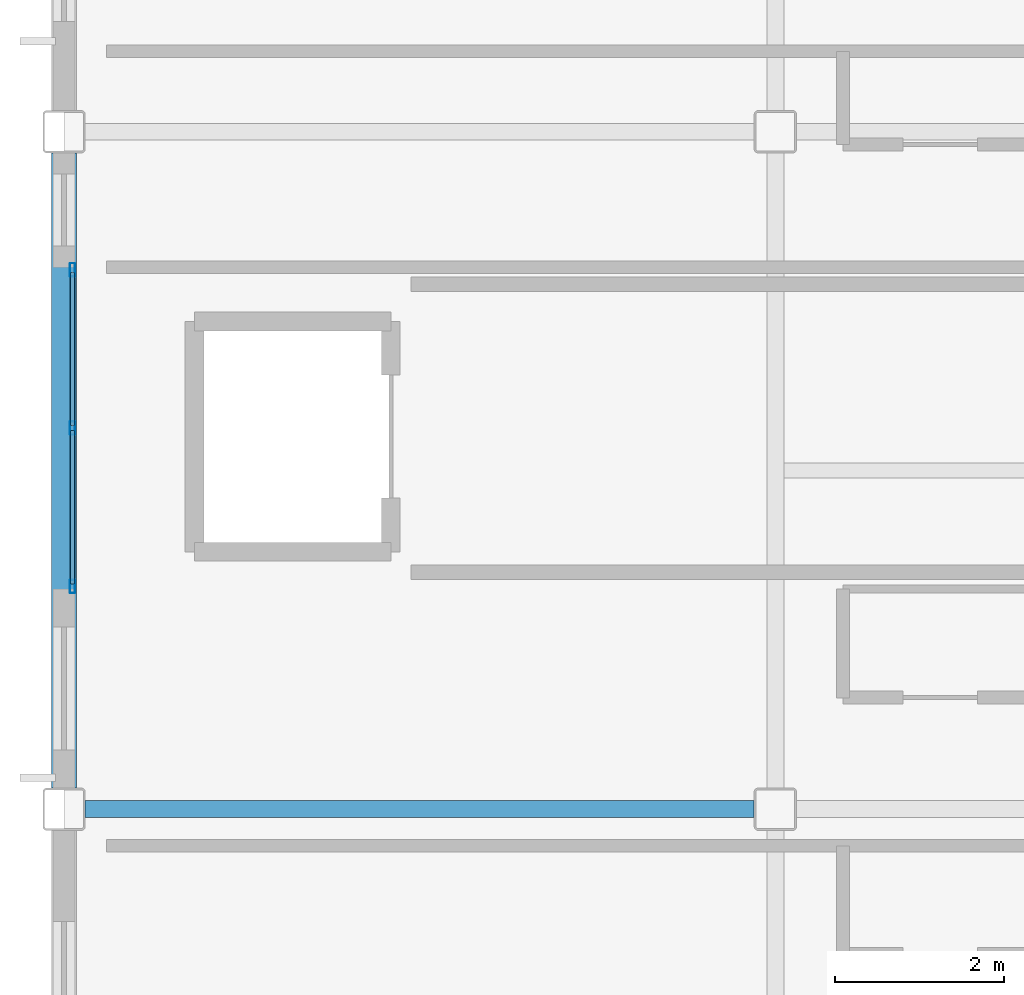
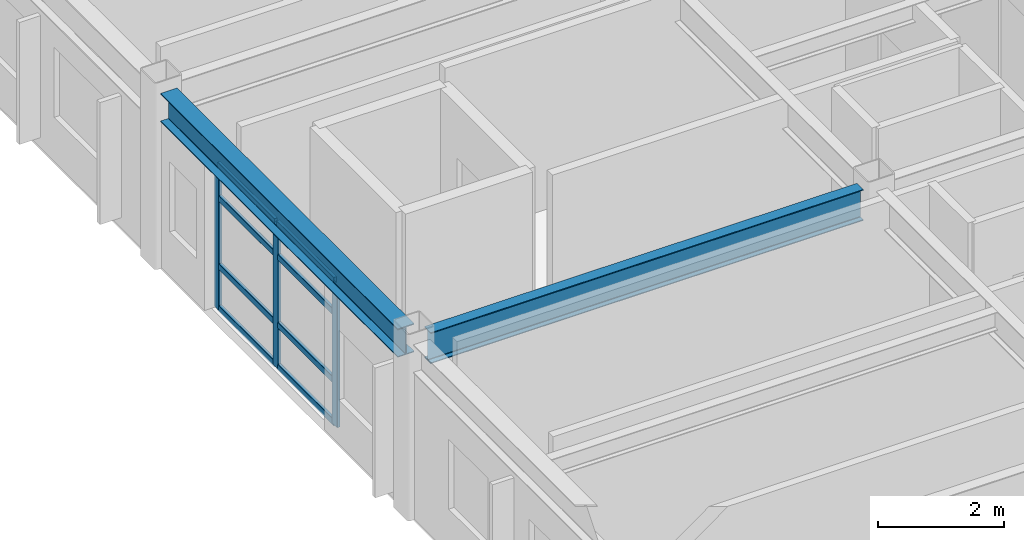
# One storey, part 8 of 35: 11 members, 2 beams, 1 element without a shape of its own.
"""IFC4 building model written with IfcOpenShell, lengths in metres."""

from ifc_helpers import new_model, si_unit, direction, frame, origin, origin_2d, place, context, subcontext, project, spatial, hollow_rectangle, i_section, extrude, material, layer, layer_set, material_profile, profile_set, type_object, element, aggregate, save


model = new_model("IFC4")

# Units and contexts
model_context = context("Model", 3, precision=1e-05, world=origin(), true_north=direction((0.0, 1.0)))
body_context = subcontext(model_context, "Body", "Model", "MODEL_VIEW")
ifc_project = project(units=[si_unit("LENGTHUNIT", "METRE"), si_unit("AREAUNIT", "SQUARE_METRE"), si_unit("VOLUMEUNIT", "CUBIC_METRE"), si_unit("PLANEANGLEUNIT", "RADIAN"), si_unit("MASSUNIT", "GRAM", prefix="KILO")], contexts=[model_context])

# Site, building, storey
site_placement = place(None, origin())
site = spatial("IfcSite", under=ifc_project, at=site_placement, CompositionType="ELEMENT")
building_placement = place(site_placement, origin())
building = spatial("IfcBuilding", under=site, at=building_placement, Name="Kazehara Bluff Congress Hotel", CompositionType="ELEMENT")
storey_placement = place(building_placement, frame((0.0, 0.0, 35.39990234375)))
storey = spatial("IfcBuildingStorey", under=building, at=storey_placement, Name="L08", CompositionType="ELEMENT", Elevation=35.39990234375)

# Curtain wall, members
ifc_material_1 = material(Name="Anodised aluminium", Category="aluminium")
ifc_layer = layer(ifc_material_1, 0.159912109375)
ifc_layer_set = layer_set([ifc_layer], Name="Anodised aluminium")
curtain_wall_type = type_object("IfcCurtainWallType", Name="TP-CW-176", PredefinedType="NOTDEFINED", material=ifc_layer_set)
curtain_wall_placement = place(storey_placement, origin())
curtain_wall = element("IfcCurtainWall", 1, at=curtain_wall_placement, inside=storey, type_object=curtain_wall_type, Name="L08 curtain wall CW-176 CW-ENC-V5-L08-14380-2850", PredefinedType="NOTDEFINED")
ifc_material_2 = material(Name="Anodised aluminium", Category="aluminium")
ifc_material_profile_1 = material_profile(ifc_material_2, hollow_rectangle(XDim=0.06005859375, YDim=0.159912109375, WallThickness=0.00390625, InnerFilletRadius=0.00390625, OuterFilletRadius=0.008056640625, at=origin_2d()))
ifc_profile_set_1 = profile_set([ifc_material_profile_1], Name="Anodised aluminium")
member_type_1 = type_object("IfcMemberType", Name="TP-CWM-01", PredefinedType="MULLION", material=ifc_profile_set_1)
member_1_placement = place(storey_placement, frame((143.800048828125, 26.6298828125, 0.0), z_axis=(0.0, 0.0, 1.0), x_axis=(-1.0, 0.0, 0.0)))
member_1 = element("IfcMember", 2, at=member_1_placement, type_object=member_type_1, Name="CW-176 mullion 1", PredefinedType="MULLION", context=body_context, shape_type="SweptSolid", body=[
    extrude(hollow_rectangle(XDim=0.06005859375, YDim=0.159912109375, WallThickness=0.00390625, InnerFilletRadius=0.00390625, OuterFilletRadius=0.008056640625, at=origin_2d()), origin(), (0.0, 0.0, 1.0), 2.80517578125),
])
member_2_placement = place(storey_placement, frame((143.800048828125, 28.5, 0.0), z_axis=(0.0, 0.0, 1.0), x_axis=(-1.0, 0.0, 0.0)))
member_2 = element("IfcMember", 3, at=member_2_placement, type_object=member_type_1, Name="CW-176 mullion 2", PredefinedType="MULLION", context=body_context, shape_type="SweptSolid", body=[
    extrude(hollow_rectangle(XDim=0.06005859375, YDim=0.159912109375, WallThickness=0.00390625, InnerFilletRadius=0.00390625, OuterFilletRadius=0.008056640625, at=origin_2d()), origin(), (0.0, 0.0, 1.0), 2.80517578125),
])
member_3_placement = place(storey_placement, frame((143.800048828125, 30.3701171875, 0.0), z_axis=(0.0, 0.0, 1.0), x_axis=(-1.0, 0.0, 0.0)))
member_3 = element("IfcMember", 4, at=member_3_placement, type_object=member_type_1, Name="CW-176 mullion 3", PredefinedType="MULLION", context=body_context, shape_type="SweptSolid", body=[
    extrude(hollow_rectangle(XDim=0.06005859375, YDim=0.159912109375, WallThickness=0.00390625, InnerFilletRadius=0.00390625, OuterFilletRadius=0.008056640625, at=origin_2d()), origin(), (0.0, 0.0, 1.0), 2.80517578125),
])
ifc_material_3 = material(Name="Anodised aluminium", Category="aluminium")
ifc_material_profile_2 = material_profile(ifc_material_3, hollow_rectangle(XDim=0.06005859375, YDim=0.1201171875, WallThickness=0.00390625, InnerFilletRadius=0.00390625, OuterFilletRadius=0.008056640625, at=origin_2d()))
ifc_profile_set_2 = profile_set([ifc_material_profile_2], Name="Anodised aluminium")
member_type_2 = type_object("IfcMemberType", Name="TP-CWT-01", PredefinedType="USERDEFINED", material=ifc_profile_set_2)
member_4_placement = place(storey_placement, frame((143.800048828125, 26.659912109375, 0.030029296875), z_axis=(0.0, 1.0, 0.0), x_axis=(-1.0, 0.0, 0.0)))
member_4 = element("IfcMember", 5, at=member_4_placement, type_object=member_type_2, Name="CW-176 transom 1.1", ObjectType="TRANSOM", PredefinedType="USERDEFINED", context=body_context, shape_type="SweptSolid", body=[
    extrude(hollow_rectangle(XDim=0.06005859375, YDim=0.1201171875, WallThickness=0.00390625, InnerFilletRadius=0.00390625, OuterFilletRadius=0.008056640625, at=origin_2d()), origin(), (0.0, 0.0, 1.0), 1.81005859375),
])
member_5_placement = place(storey_placement, frame((143.800048828125, 26.659912109375, 0.840087890625), z_axis=(0.0, 1.0, 0.0), x_axis=(-1.0, 0.0, 0.0)))
member_5 = element("IfcMember", 6, at=member_5_placement, type_object=member_type_2, Name="CW-176 transom 1.2", ObjectType="TRANSOM", PredefinedType="USERDEFINED", context=body_context, shape_type="SweptSolid", body=[
    extrude(hollow_rectangle(XDim=0.06005859375, YDim=0.1201171875, WallThickness=0.00390625, InnerFilletRadius=0.00390625, OuterFilletRadius=0.008056640625, at=origin_2d()), origin(), (0.0, 0.0, 1.0), 1.81005859375),
])
member_6_placement = place(storey_placement, frame((143.800048828125, 26.659912109375, 2.155029296875), z_axis=(0.0, 1.0, 0.0), x_axis=(-1.0, 0.0, 0.0)))
member_6 = element("IfcMember", 7, at=member_6_placement, type_object=member_type_2, Name="CW-176 transom 1.3", ObjectType="TRANSOM", PredefinedType="USERDEFINED", context=body_context, shape_type="SweptSolid", body=[
    extrude(hollow_rectangle(XDim=0.06005859375, YDim=0.1201171875, WallThickness=0.00390625, InnerFilletRadius=0.00390625, OuterFilletRadius=0.008056640625, at=origin_2d()), origin(), (0.0, 0.0, 1.0), 1.81005859375),
])
member_7_placement = place(storey_placement, frame((143.800048828125, 26.659912109375, 2.775146484375), z_axis=(0.0, 1.0, 0.0), x_axis=(-1.0, 0.0, 0.0)))
member_7 = element("IfcMember", 8, at=member_7_placement, type_object=member_type_2, Name="CW-176 transom 1.4", ObjectType="TRANSOM", PredefinedType="USERDEFINED", context=body_context, shape_type="SweptSolid", body=[
    extrude(hollow_rectangle(XDim=0.06005859375, YDim=0.1201171875, WallThickness=0.00390625, InnerFilletRadius=0.00390625, OuterFilletRadius=0.008056640625, at=origin_2d()), origin(), (0.0, 0.0, 1.0), 1.81005859375),
])
member_8_placement = place(storey_placement, frame((143.800048828125, 28.530029296875, 0.030029296875), z_axis=(0.0, 1.0, 0.0), x_axis=(-1.0, 0.0, 0.0)))
member_8 = element("IfcMember", 9, at=member_8_placement, type_object=member_type_2, Name="CW-176 transom 2.1", ObjectType="TRANSOM", PredefinedType="USERDEFINED", context=body_context, shape_type="SweptSolid", body=[
    extrude(hollow_rectangle(XDim=0.06005859375, YDim=0.1201171875, WallThickness=0.00390625, InnerFilletRadius=0.00390625, OuterFilletRadius=0.008056640625, at=origin_2d()), origin(), (0.0, 0.0, 1.0), 1.81005859375),
])
member_9_placement = place(storey_placement, frame((143.800048828125, 28.530029296875, 0.840087890625), z_axis=(0.0, 1.0, 0.0), x_axis=(-1.0, 0.0, 0.0)))
member_9 = element("IfcMember", 10, at=member_9_placement, type_object=member_type_2, Name="CW-176 transom 2.2", ObjectType="TRANSOM", PredefinedType="USERDEFINED", context=body_context, shape_type="SweptSolid", body=[
    extrude(hollow_rectangle(XDim=0.06005859375, YDim=0.1201171875, WallThickness=0.00390625, InnerFilletRadius=0.00390625, OuterFilletRadius=0.008056640625, at=origin_2d()), origin(), (0.0, 0.0, 1.0), 1.81005859375),
])
member_10_placement = place(storey_placement, frame((143.800048828125, 28.530029296875, 2.155029296875), z_axis=(0.0, 1.0, 0.0), x_axis=(-1.0, 0.0, 0.0)))
member_10 = element("IfcMember", 11, at=member_10_placement, type_object=member_type_2, Name="CW-176 transom 2.3", ObjectType="TRANSOM", PredefinedType="USERDEFINED", context=body_context, shape_type="SweptSolid", body=[
    extrude(hollow_rectangle(XDim=0.06005859375, YDim=0.1201171875, WallThickness=0.00390625, InnerFilletRadius=0.00390625, OuterFilletRadius=0.008056640625, at=origin_2d()), origin(), (0.0, 0.0, 1.0), 1.81005859375),
])
member_11_placement = place(storey_placement, frame((143.800048828125, 28.530029296875, 2.775146484375), z_axis=(0.0, 1.0, 0.0), x_axis=(-1.0, 0.0, 0.0)))
member_11 = element("IfcMember", 12, at=member_11_placement, type_object=member_type_2, Name="CW-176 transom 2.4", ObjectType="TRANSOM", PredefinedType="USERDEFINED", context=body_context, shape_type="SweptSolid", body=[
    extrude(hollow_rectangle(XDim=0.06005859375, YDim=0.1201171875, WallThickness=0.00390625, InnerFilletRadius=0.00390625, OuterFilletRadius=0.008056640625, at=origin_2d()), origin(), (0.0, 0.0, 1.0), 1.81005859375),
])
aggregate(curtain_wall, [member_1, member_2, member_3, member_4, member_5, member_6, member_7, member_8, member_9, member_10, member_11])

# Beams
ifc_material_4 = material(Name="Steel SN490B", Category="steel")
ifc_material_profile_3 = material_profile(ifc_material_4, i_section(OverallWidth=0.199951171875, OverallDepth=0.60009765625, WebThickness=0.010986328125, FlangeThickness=0.01708984375, FilletRadius=0.012939453125, at=origin_2d()))
ifc_profile_set_3 = profile_set([ifc_material_profile_3], Name="Steel SN490B")
beam_type_1 = type_object("IfcBeamType", Name="TP-G-02", PredefinedType="BEAM", material=ifc_profile_set_3)
beam_1_placement = place(storey_placement, frame((143.949951171875, 24.0, 3.080078125), z_axis=(1.0, 0.0, 0.0), x_axis=(0.0, 1.0, 0.0)))
element("IfcBeam", 13, at=beam_1_placement, inside=storey, type_object=beam_type_1, Name="L08 girder G-02 42", PredefinedType="BEAM", context=body_context, shape_type="SweptSolid", body=[
    extrude(i_section(OverallWidth=0.199951171875, OverallDepth=0.60009765625, WebThickness=0.010986328125, FlangeThickness=0.01708984375, FilletRadius=0.012939453125, at=origin_2d()), origin(), (0.0, 0.0, 1.0), 7.900146484375),
])
ifc_material_5 = material(Name="Steel SN490B", Category="steel")
ifc_material_profile_4 = material_profile(ifc_material_5, i_section(OverallWidth=0.300048828125, OverallDepth=0.550048828125, WebThickness=0.010986328125, FlangeThickness=0.01806640625, FilletRadius=0.012939453125, at=origin_2d()))
ifc_profile_set_4 = profile_set([ifc_material_profile_4], Name="Steel SN490B")
beam_type_2 = type_object("IfcBeamType", Name="TP-SP-01", PredefinedType="SPANDREL", material=ifc_profile_set_4)
beam_2_placement = place(storey_placement, frame((143.699951171875, 24.25, 3.10498046875), z_axis=(0.0, 1.0, 0.0), x_axis=(-1.0, 0.0, 0.0)))
element("IfcBeam", 14, at=beam_2_placement, inside=storey, type_object=beam_type_2, Name="L08 girder SP-01 3", PredefinedType="SPANDREL", context=body_context, shape_type="SweptSolid", body=[
    extrude(i_section(OverallWidth=0.300048828125, OverallDepth=0.550048828125, WebThickness=0.010986328125, FlangeThickness=0.01806640625, FilletRadius=0.012939453125, at=origin_2d()), origin(), (0.0, 0.0, 1.0), 7.5),
])

save(model, "model.ifc")
